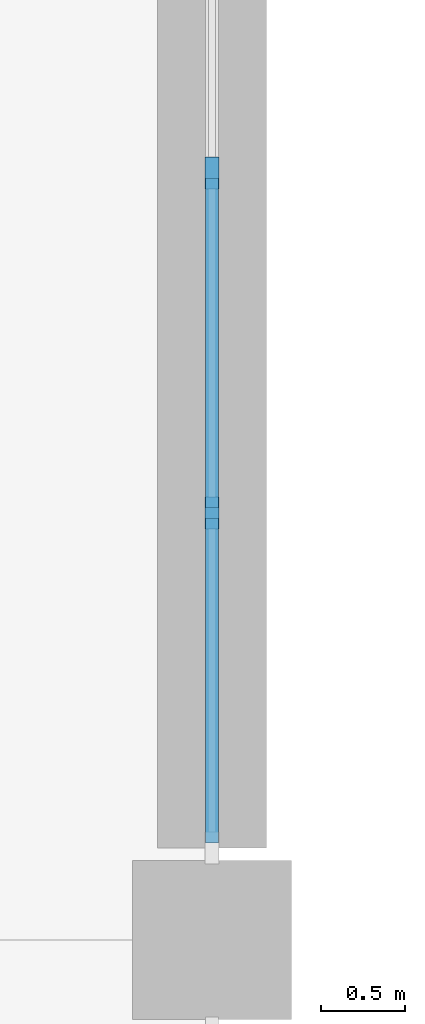
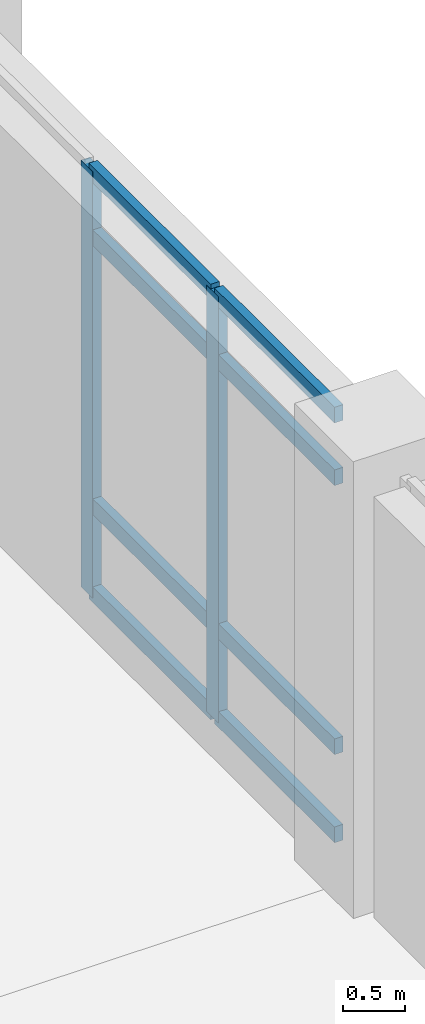
# One storey, part 8 of 81: 10 members, 1 element without a shape of its own.
"""IFC4 building model written with IfcOpenShell, lengths in metres."""

from ifc_helpers import new_model, si_unit, direction, frame, origin, origin_2d, place, context, subcontext, project, spatial, rectangle, extrude, material, layer, layer_set, material_profile, profile_set, type_object, element, aggregate, save


model = new_model("IFC4")

# Units and contexts
model_context = context("Model", 3, precision=1e-05, world=origin(), true_north=direction((0.0, 1.0)))
body_context = subcontext(model_context, "Body", "Model", "MODEL_VIEW")
ifc_project = project(units=[si_unit("LENGTHUNIT", "METRE"), si_unit("AREAUNIT", "SQUARE_METRE"), si_unit("VOLUMEUNIT", "CUBIC_METRE"), si_unit("PLANEANGLEUNIT", "RADIAN"), si_unit("MASSUNIT", "GRAM", prefix="KILO")], contexts=[model_context])

# Site, building, storey
site_placement = place(None, origin())
site = spatial("IfcSite", under=ifc_project, at=site_placement, CompositionType="ELEMENT")
building_placement = place(site_placement, origin())
building = spatial("IfcBuilding", under=site, at=building_placement, Name="Kavelor Marine Aquarium", CompositionType="ELEMENT")
storey_placement = place(building_placement, frame((0.0, 0.0, 4.679931640625)))
storey = spatial("IfcBuildingStorey", under=building, at=storey_placement, Name="L01", CompositionType="ELEMENT", Elevation=4.679931640625)

# Curtain wall, members
ifc_material_1 = material(Name="Thermally Broken Aluminium and Low-E Glass", Category="aluminium")
ifc_layer = layer(ifc_material_1, 0.30810546875)
ifc_layer_set = layer_set([ifc_layer], Name="CW-SYS21")
curtain_wall_type = type_object("IfcCurtainWallType", Name="CW-SYS21", PredefinedType="USERDEFINED", material=ifc_layer_set)
curtain_wall_placement = place(storey_placement, origin())
curtain_wall = element("IfcCurtainWall", 1, at=curtain_wall_placement, inside=storey, type_object=curtain_wall_type, Name="cw:y:L01:05_08", ObjectType="Curtain Wall", PredefinedType="USERDEFINED")
ifc_material_2 = material(Name="Anodised Aluminium Alloy 6063-T6", Category="aluminium")
ifc_material_profile_1 = material_profile(ifc_material_2, rectangle(XDim=0.0849609375, YDim=0.18994140625, at=origin_2d()), Name="CW-MUL 85x190")
ifc_profile_set_1 = profile_set([ifc_material_profile_1], Name="Anodised Aluminium Alloy 6063-T6")
member_type_1 = type_object("IfcMemberType", Name="CWM-3", PredefinedType="MULLION", material=ifc_profile_set_1)
member_1_placement = place(storey_placement, frame((39.199951171875, 62.9482421875, 0.0), z_axis=(0.0, 0.0, 1.0), x_axis=(-1.0, 0.0, 0.0)))
member_1 = element("IfcMember", 2, at=member_1_placement, type_object=member_type_1, Name="CW21 mullion 2", PredefinedType="MULLION", context=body_context, shape_type="SweptSolid", body=[
    extrude(rectangle(XDim=0.0849609375, YDim=0.18994140625, at=origin_2d()), origin(), (0.0, 0.0, 1.0), 4.199951171875),
])
member_2_placement = place(storey_placement, frame((39.199951171875, 64.9765625, 0.0), z_axis=(0.0, 0.0, 1.0), x_axis=(-1.0, 0.0, 0.0)))
member_2 = element("IfcMember", 3, at=member_2_placement, type_object=member_type_1, Name="CW21 mullion 3", PredefinedType="MULLION", context=body_context, shape_type="SweptSolid", body=[
    extrude(rectangle(XDim=0.0849609375, YDim=0.18994140625, at=origin_2d()), origin(), (0.0, 0.0, 1.0), 4.199951171875),
])
ifc_material_3 = material(Name="Anodised Aluminium Alloy 6063-T6", Category="aluminium")
ifc_material_profile_2 = material_profile(ifc_material_3, rectangle(XDim=0.080078125, YDim=0.155029296875, at=origin_2d()), Name="CW-TRN 80x155")
ifc_profile_set_2 = profile_set([ifc_material_profile_2], Name="Anodised Aluminium Alloy 6063-T6")
member_type_2 = type_object("IfcMemberType", Name="CWT-2", PredefinedType="USERDEFINED", material=ifc_profile_set_2)
member_3_placement = place(storey_placement, frame((39.199951171875, 60.97998046875, 0.032470703125), z_axis=(0.0, 1.0, 0.0), x_axis=(-1.0, 0.0, 0.0)))
member_3 = element("IfcMember", 4, at=member_3_placement, type_object=member_type_2, Name="CW21 transom 1.1", ObjectType="TRANSOM", PredefinedType="USERDEFINED", context=body_context, shape_type="SweptSolid", body=[
    extrude(rectangle(XDim=0.080078125, YDim=0.155029296875, at=origin_2d()), origin(), (0.0, 0.0, 1.0), 1.938232421875),
])
member_4_placement = place(storey_placement, frame((39.199951171875, 60.97998046875, 0.900146484375), z_axis=(0.0, 1.0, 0.0), x_axis=(-1.0, 0.0, 0.0)))
member_4 = element("IfcMember", 5, at=member_4_placement, type_object=member_type_2, Name="CW21 transom 1.2", ObjectType="TRANSOM", PredefinedType="USERDEFINED", context=body_context, shape_type="SweptSolid", body=[
    extrude(rectangle(XDim=0.080078125, YDim=0.155029296875, at=origin_2d()), origin(), (0.0, 0.0, 1.0), 1.938232421875),
])
member_5_placement = place(storey_placement, frame((39.199951171875, 60.97998046875, 3.550048828125), z_axis=(0.0, 1.0, 0.0), x_axis=(-1.0, 0.0, 0.0)))
member_5 = element("IfcMember", 6, at=member_5_placement, type_object=member_type_2, Name="CW21 transom 1.3", ObjectType="TRANSOM", PredefinedType="USERDEFINED", context=body_context, shape_type="SweptSolid", body=[
    extrude(rectangle(XDim=0.080078125, YDim=0.155029296875, at=origin_2d()), origin(), (0.0, 0.0, 1.0), 1.938232421875),
])
member_6_placement = place(storey_placement, frame((39.199951171875, 60.97998046875, 4.16748046875), z_axis=(0.0, 1.0, 0.0), x_axis=(-1.0, 0.0, 0.0)))
member_6 = element("IfcMember", 7, at=member_6_placement, type_object=member_type_2, Name="CW21 transom 1.4", ObjectType="TRANSOM", PredefinedType="USERDEFINED", context=body_context, shape_type="SweptSolid", body=[
    extrude(rectangle(XDim=0.080078125, YDim=0.155029296875, at=origin_2d()), origin(), (0.0, 0.0, 1.0), 1.938232421875),
])
member_7_placement = place(storey_placement, frame((39.199951171875, 62.978271484375, 0.032470703125), z_axis=(0.0, 1.0, 0.0), x_axis=(-1.0, 0.0, 0.0)))
member_7 = element("IfcMember", 8, at=member_7_placement, type_object=member_type_2, Name="CW21 transom 2.1", ObjectType="TRANSOM", PredefinedType="USERDEFINED", context=body_context, shape_type="SweptSolid", body=[
    extrude(rectangle(XDim=0.080078125, YDim=0.155029296875, at=origin_2d()), origin(), (0.0, 0.0, 1.0), 1.968505859375),
])
member_8_placement = place(storey_placement, frame((39.199951171875, 62.978271484375, 0.900146484375), z_axis=(0.0, 1.0, 0.0), x_axis=(-1.0, 0.0, 0.0)))
member_8 = element("IfcMember", 9, at=member_8_placement, type_object=member_type_2, Name="CW21 transom 2.2", ObjectType="TRANSOM", PredefinedType="USERDEFINED", context=body_context, shape_type="SweptSolid", body=[
    extrude(rectangle(XDim=0.080078125, YDim=0.155029296875, at=origin_2d()), origin(), (0.0, 0.0, 1.0), 1.968505859375),
])
member_9_placement = place(storey_placement, frame((39.199951171875, 62.978271484375, 3.550048828125), z_axis=(0.0, 1.0, 0.0), x_axis=(-1.0, 0.0, 0.0)))
member_9 = element("IfcMember", 10, at=member_9_placement, type_object=member_type_2, Name="CW21 transom 2.3", ObjectType="TRANSOM", PredefinedType="USERDEFINED", context=body_context, shape_type="SweptSolid", body=[
    extrude(rectangle(XDim=0.080078125, YDim=0.155029296875, at=origin_2d()), origin(), (0.0, 0.0, 1.0), 1.968505859375),
])
member_10_placement = place(storey_placement, frame((39.199951171875, 62.978271484375, 4.16748046875), z_axis=(0.0, 1.0, 0.0), x_axis=(-1.0, 0.0, 0.0)))
member_10 = element("IfcMember", 11, at=member_10_placement, type_object=member_type_2, Name="CW21 transom 2.4", ObjectType="TRANSOM", PredefinedType="USERDEFINED", context=body_context, shape_type="SweptSolid", body=[
    extrude(rectangle(XDim=0.080078125, YDim=0.155029296875, at=origin_2d()), origin(), (0.0, 0.0, 1.0), 1.968505859375),
])
aggregate(curtain_wall, [member_1, member_2, member_3, member_4, member_5, member_6, member_7, member_8, member_9, member_10])

save(model, "model.ifc")
